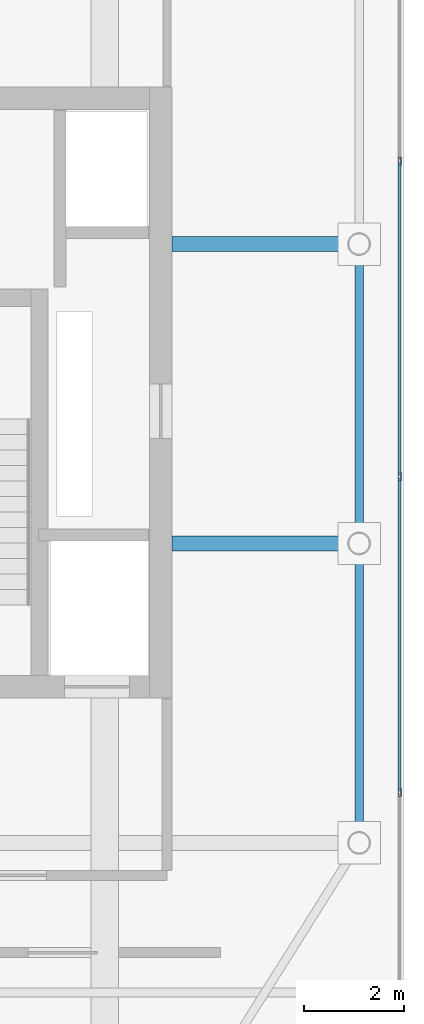
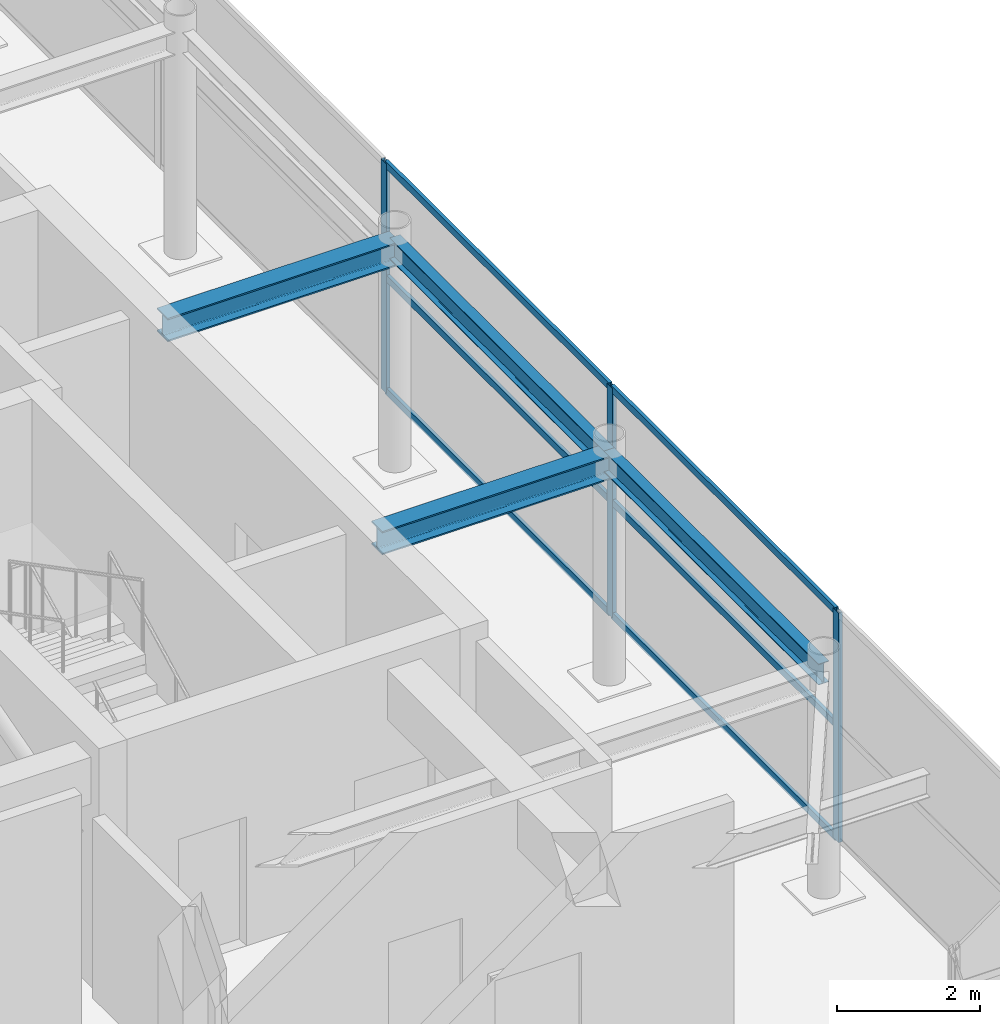
# One storey, part 17 of 32: 9 members, 4 beams, 1 element without a shape of its own.
"""IFC4 building model written with IfcOpenShell, lengths in metres."""

from ifc_helpers import new_model, si_unit, direction, frame, origin, origin_2d, place, context, subcontext, project, spatial, hollow_rectangle, i_section, extrude, source, transform, mapped, material, layer, layer_set, material_profile, profile_set, type_object, element, aggregate, save


model = new_model("IFC4")

# Units and contexts
model_context = context("Model", 3, precision=1e-05, world=origin(), true_north=direction((0.0, 1.0)))
body_context = subcontext(model_context, "Body", "Model", "MODEL_VIEW")
ifc_project = project(units=[si_unit("LENGTHUNIT", "METRE"), si_unit("AREAUNIT", "SQUARE_METRE"), si_unit("VOLUMEUNIT", "CUBIC_METRE"), si_unit("PLANEANGLEUNIT", "RADIAN"), si_unit("MASSUNIT", "GRAM", prefix="KILO")], contexts=[model_context])

# Site, building, storey
site_placement = place(None, origin())
site = spatial("IfcSite", under=ifc_project, at=site_placement, CompositionType="ELEMENT")
building_placement = place(site_placement, origin())
building = spatial("IfcBuilding", under=site, at=building_placement, Name="Khoralis Quay Care Tower", CompositionType="ELEMENT")
storey_placement = place(building_placement, frame((0.0, 0.0, 293.699951171875)))
storey = spatial("IfcBuildingStorey", under=building, at=storey_placement, Name="L77", CompositionType="ELEMENT", Elevation=293.699951171875)

# Beams
ifc_material_1 = material(Name="Steel S355", Category="steel")
ifc_material_profile_1 = material_profile(ifc_material_1, i_section(OverallWidth=0.169921875, OverallDepth=0.360107421875, WebThickness=0.008056640625, FlangeThickness=0.0126953125, FilletRadius=0.01806640625, at=origin_2d()), Name="Steel S355")
ifc_profile_set_1 = profile_set([ifc_material_profile_1], Name="Steel S355")
beam_type_1 = type_object("IfcBeamType", Name="BM-IPE360", PredefinedType="SPANDREL", material=ifc_profile_set_1)
shared_shape_1 = source(origin(), body_context, "Body", "SweptSolid", [
    extrude(i_section(OverallWidth=0.169921875, OverallDepth=0.360107421875, WebThickness=0.008056640625, FlangeThickness=0.0126953125, FilletRadius=0.01806640625, at=origin_2d()), origin(), (0.0, 0.0, 1.0), 6.0),
])
for number, where, z_axis, x_axis, name in (
    (1, (41.10009765625, 12.0, 3.739990234375), (0.0, 1.0, 0.0), (-1.0, 0.0, 0.0), "BM-TSP-L77-13"),
    (2, (41.10009765625, 18.0, 3.739990234375), (0.0, 1.0, 0.0), (-1.0, 0.0, 0.0), "BM-TSP-L77-14"),
):
    element("IfcBeam", number, at=place(storey_placement, frame(where, z_axis=z_axis, x_axis=x_axis)), inside=storey, type_object=beam_type_1, Name=name, PredefinedType="SPANDREL", context=body_context, shape_type="MappedRepresentation", body=[
        mapped(shared_shape_1, transform((0.0, 0.0, 0.0), scale=1.0)),
    ])
ifc_material_profile_2 = material_profile(ifc_material_1, i_section(OverallWidth=0.300048828125, OverallDepth=0.39990234375, WebThickness=0.013427734375, FlangeThickness=0.02392578125, FilletRadius=0.027099609375, at=origin_2d()), Name="Steel S355")
ifc_profile_set_2 = profile_set([ifc_material_profile_2], Name="Steel S355")
beam_type_2 = type_object("IfcBeamType", Name="BM-HEB400", PredefinedType="BEAM", material=ifc_profile_set_2)
shared_shape_2 = source(origin(), body_context, "Body", "SweptSolid", [
    extrude(i_section(OverallWidth=0.300048828125, OverallDepth=0.39990234375, WebThickness=0.013427734375, FlangeThickness=0.02392578125, FilletRadius=0.027099609375, at=origin_2d()), origin(), (0.0, 0.0, 1.0), 3.752197265625),
])
for number, where, z_axis, x_axis, name in (
    (3, (37.347900390625, 18.0, 3.719970703125), (1.0, 0.0, 0.0), (0.0, 1.0, 0.0), "BM-TGXE-L77-180"),
    (4, (37.347900390625, 24.0, 3.719970703125), (1.0, 0.0, 0.0), (0.0, 1.0, 0.0), "BM-TGXE-L77-240"),
):
    element("IfcBeam", number, at=place(storey_placement, frame(where, z_axis=z_axis, x_axis=x_axis)), inside=storey, type_object=beam_type_2, Name=name, PredefinedType="BEAM", context=body_context, shape_type="MappedRepresentation", body=[
        mapped(shared_shape_2, transform((0.0, 0.0, 0.0), scale=1.0)),
    ])

# Curtain wall, members
ifc_material_2 = material(Name="Pale anodised aluminium", Category="aluminium")
ifc_layer = layer(ifc_material_2, 0.199951171875)
ifc_layer_set = layer_set([ifc_layer], Name="Pale anodised aluminium")
curtain_wall_type = type_object("IfcCurtainWallType", Name="CW-SYS-LANTERN", PredefinedType="NOTDEFINED", material=ifc_layer_set)
curtain_wall_placement = place(storey_placement, origin())
curtain_wall = element("IfcCurtainWall", 5, at=curtain_wall_placement, inside=storey, type_object=curtain_wall_type, Name="L77 Unitised Curtain Wall CW-LN-L77-06", PredefinedType="NOTDEFINED")
ifc_material_profile_3 = material_profile(ifc_material_2, hollow_rectangle(XDim=0.06005859375, YDim=0.159912109375, WallThickness=0.00390625, at=origin_2d()), Name="Pale anodised aluminium")
ifc_profile_set_3 = profile_set([ifc_material_profile_3], Name="Pale anodised aluminium")
member_type_1 = type_object("IfcMemberType", Name="CW-MUL-160", PredefinedType="MULLION", material=ifc_profile_set_3)
shared_shape_3 = source(origin(), body_context, "Body", "SweptSolid", [
    extrude(hollow_rectangle(XDim=0.06005859375, YDim=0.159912109375, WallThickness=0.00390625, at=origin_2d()), origin(), (0.0, 0.0, 1.0), 3.920166015625),
])
member_1_placement = place(storey_placement, frame((41.909912109375, 13.013916015625, 0.0), z_axis=(0.0, 0.0, 1.0), x_axis=(-1.0, 0.0, 0.0)))
member_1 = element("IfcMember", 6, at=member_1_placement, type_object=member_type_1, Name="CW5 mullion 2", PredefinedType="MULLION", context=body_context, shape_type="MappedRepresentation", body=[
    mapped(shared_shape_3, transform((0.0, 0.0, 0.0), scale=1.0)),
])
member_2_placement = place(storey_placement, frame((41.909912109375, 19.337890625, 0.0), z_axis=(0.0, 0.0, 1.0), x_axis=(-1.0, 0.0, 0.0)))
member_2 = element("IfcMember", 7, at=member_2_placement, type_object=member_type_1, Name="CW5 mullion 3", PredefinedType="MULLION", context=body_context, shape_type="MappedRepresentation", body=[
    mapped(shared_shape_3, transform((0.0, 0.0, 0.0), scale=1.0)),
])
member_3_placement = place(storey_placement, frame((41.909912109375, 25.662109375, 0.0), z_axis=(0.0, 0.0, 1.0), x_axis=(-1.0, 0.0, 0.0)))
member_3 = element("IfcMember", 8, at=member_3_placement, type_object=member_type_1, Name="CW5 mullion 4", PredefinedType="MULLION", context=body_context, shape_type="MappedRepresentation", body=[
    mapped(shared_shape_3, transform((0.0, 0.0, 0.0), scale=1.0)),
])
ifc_material_profile_4 = material_profile(ifc_material_2, hollow_rectangle(XDim=0.054931640625, YDim=0.1201171875, WallThickness=0.00390625, at=origin_2d()), Name="Pale anodised aluminium")
ifc_profile_set_4 = profile_set([ifc_material_profile_4], Name="Pale anodised aluminium")
member_type_2 = type_object("IfcMemberType", Name="CW-TRN-120", PredefinedType="USERDEFINED", material=ifc_profile_set_4)
shared_shape_4 = source(origin(), body_context, "Body", "SweptSolid", [
    extrude(hollow_rectangle(XDim=0.054931640625, YDim=0.1201171875, WallThickness=0.00390625, at=origin_2d()), origin(), (0.0, 0.0, 1.0), 6.26416015625),
])
member_4_placement = place(storey_placement, frame((41.909912109375, 13.0439453125, 0.030029296875), z_axis=(0.0, 1.0, 0.0), x_axis=(-1.0, 0.0, 0.0)))
member_4 = element("IfcMember", 9, at=member_4_placement, type_object=member_type_2, Name="CW5 transom 2.1", ObjectType="TRANSOM", PredefinedType="USERDEFINED", context=body_context, shape_type="MappedRepresentation", body=[
    mapped(shared_shape_4, transform((0.0, 0.0, 0.0), scale=1.0)),
])
member_5_placement = place(storey_placement, frame((41.909912109375, 13.0439453125, 1.9599609375), z_axis=(0.0, 1.0, 0.0), x_axis=(-1.0, 0.0, 0.0)))
member_5 = element("IfcMember", 10, at=member_5_placement, type_object=member_type_2, Name="CW5 transom 2.2", ObjectType="TRANSOM", PredefinedType="USERDEFINED", context=body_context, shape_type="MappedRepresentation", body=[
    mapped(shared_shape_4, transform((0.0, 0.0, 0.0), scale=1.0)),
])
member_6_placement = place(storey_placement, frame((41.909912109375, 13.0439453125, 3.89013671875), z_axis=(0.0, 1.0, 0.0), x_axis=(-1.0, 0.0, 0.0)))
member_6 = element("IfcMember", 11, at=member_6_placement, type_object=member_type_2, Name="CW5 transom 2.3", ObjectType="TRANSOM", PredefinedType="USERDEFINED", context=body_context, shape_type="MappedRepresentation", body=[
    mapped(shared_shape_4, transform((0.0, 0.0, 0.0), scale=1.0)),
])
member_7_placement = place(storey_placement, frame((41.909912109375, 19.367919921875, 0.030029296875), z_axis=(0.0, 1.0, 0.0), x_axis=(-1.0, 0.0, 0.0)))
member_7 = element("IfcMember", 12, at=member_7_placement, type_object=member_type_2, Name="CW5 transom 3.1", ObjectType="TRANSOM", PredefinedType="USERDEFINED", context=body_context, shape_type="MappedRepresentation", body=[
    mapped(shared_shape_4, transform((0.0, 0.0, 0.0), scale=1.0)),
])
member_8_placement = place(storey_placement, frame((41.909912109375, 19.367919921875, 1.9599609375), z_axis=(0.0, 1.0, 0.0), x_axis=(-1.0, 0.0, 0.0)))
member_8 = element("IfcMember", 13, at=member_8_placement, type_object=member_type_2, Name="CW5 transom 3.2", ObjectType="TRANSOM", PredefinedType="USERDEFINED", context=body_context, shape_type="MappedRepresentation", body=[
    mapped(shared_shape_4, transform((0.0, 0.0, 0.0), scale=1.0)),
])
member_9_placement = place(storey_placement, frame((41.909912109375, 19.367919921875, 3.89013671875), z_axis=(0.0, 1.0, 0.0), x_axis=(-1.0, 0.0, 0.0)))
member_9 = element("IfcMember", 14, at=member_9_placement, type_object=member_type_2, Name="CW5 transom 3.3", ObjectType="TRANSOM", PredefinedType="USERDEFINED", context=body_context, shape_type="MappedRepresentation", body=[
    mapped(shared_shape_4, transform((0.0, 0.0, 0.0), scale=1.0)),
])
aggregate(curtain_wall, [member_1, member_2, member_3, member_4, member_5, member_6, member_7, member_8, member_9])

save(model, "model.ifc")
